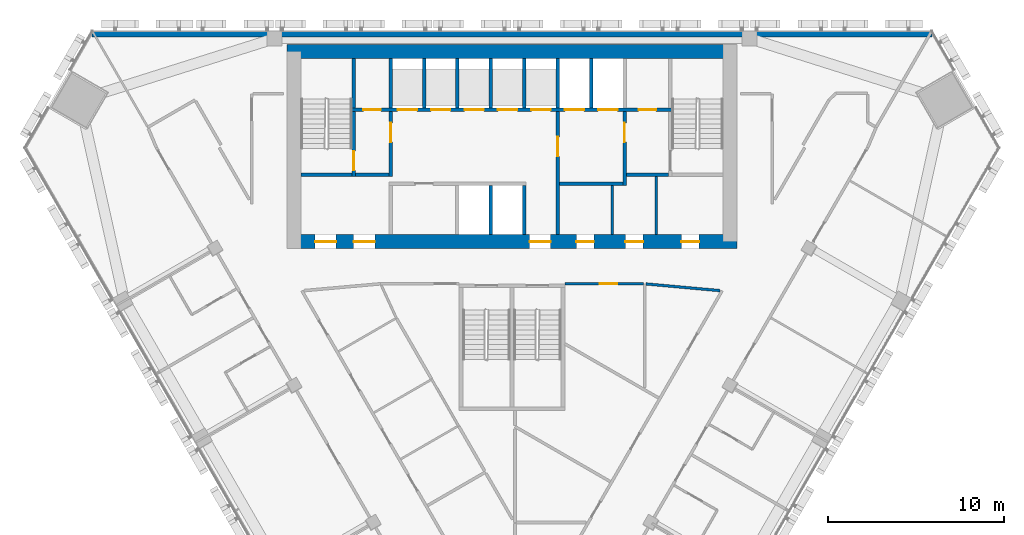
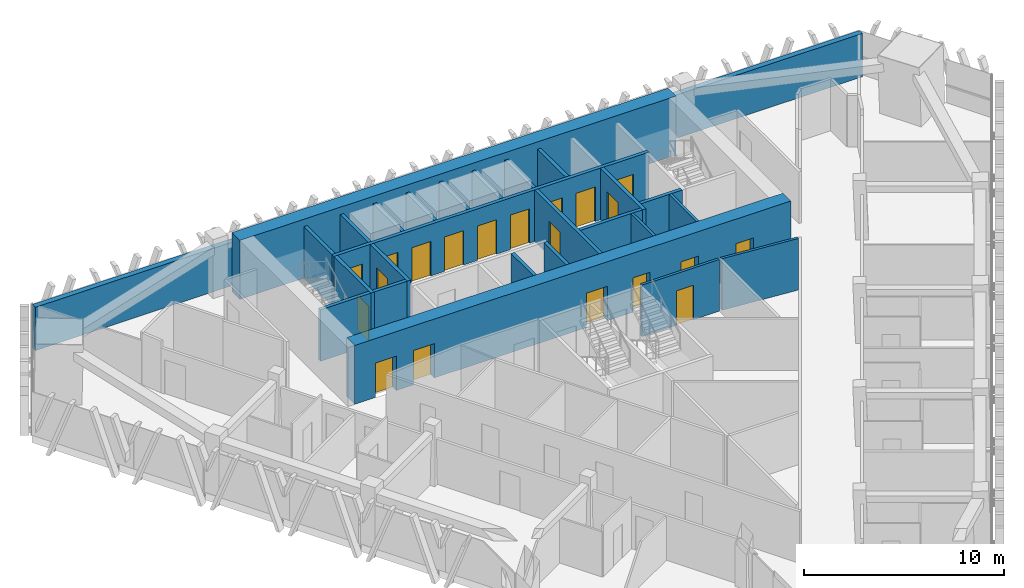
# One storey, part 11 of 16: 26 walls, 20 doors, 20 openings.
"""IFC4 building model written with IfcOpenShell, lengths in metres."""

import ifcopenshell
import ifcopenshell.guid

model = None  # the IFC model being written
_history = None  # IfcOwnerHistory: only IFC2X3 demands one
_inside = {}  # id of a spatial element -> (the spatial element, [elements in it])
_under = {}  # id of a project, library or spatial element -> (it, [spatial elements below it])
_declared = {}  # id of a project -> (the project, [libraries it declares])
_typed = {}  # id of a type object -> (the type object, [elements of that type])
_made_of = {}  # id of a material, layer set ... -> (it, [elements and type objects made of it])


def new_model(schema):
    """Start an empty IFC model of exactly this schema.

    Asked for "IFC4X3", IfcOpenShell would pick the latest addendum, in which some entities
    have other attributes; the version numbers below select the first issue.
    IFC2X3 requires an IfcOwnerHistory on every rooted entity: one is made here for all.
    """
    global model, _history
    if schema == "IFC4X3":
        model = ifcopenshell.file(schema_version=(4, 3, 0, 0))
    else:
        model = ifcopenshell.file(schema=schema)
    _inside.clear()
    _under.clear()
    _declared.clear()
    _typed.clear()
    _made_of.clear()
    _history = None
    if model.schema == "IFC2X3":
        org = make("IfcOrganization", Name="unknown")
        user = make(
            "IfcPersonAndOrganization",
            ThePerson=make("IfcPerson", FamilyName="unknown"),
            TheOrganization=org,
        )
        app = make(
            "IfcApplication",
            ApplicationDeveloper=org,
            Version="unknown",
            ApplicationFullName="unknown",
            ApplicationIdentifier="unknown",
        )
        _history = make(
            "IfcOwnerHistory",
            OwningUser=user,
            OwningApplication=app,
            ChangeAction="ADDED",
            CreationDate=0,
        )
    return model


def make(cls, **values):
    """One entity of the class cls with the attributes given. An attribute that is None is left unset."""
    return model.create_entity(
        cls, **{name: value for name, value in values.items() if value is not None}
    )


def rooted(cls, **values):
    """An entity with a GlobalId (a new one), such as an element, a storey or a relation."""
    return make(cls, GlobalId=ifcopenshell.guid.new(), OwnerHistory=_history, **values)


def si_unit(unit_type, name, prefix=None):
    """IfcSIUnit, for example si_unit("LENGTHUNIT", "METRE", prefix="MILLI")."""
    return make("IfcSIUnit", UnitType=unit_type, Prefix=prefix, Name=name)


def assignment(units):
    """IfcUnitAssignment: the units of a project."""
    return None if units is None else make("IfcUnitAssignment", Units=units)


def point(xyz):
    """IfcCartesianPoint."""
    return None if xyz is None else make("IfcCartesianPoint", Coordinates=xyz)


def direction(xyz):
    """IfcDirection."""
    return None if xyz is None else make("IfcDirection", DirectionRatios=xyz)


def frame(location, z_axis=None, x_axis=None):
    """IfcAxis2Placement3D, a coordinate frame: its origin and axes. An axis left out is left unset."""
    return make(
        "IfcAxis2Placement3D",
        Location=point(location),
        Axis=direction(z_axis),
        RefDirection=direction(x_axis),
    )


def frame_2d(location, x_axis=None):
    """IfcAxis2Placement2D, a coordinate frame in the plane: its origin and x axis."""
    return make(
        "IfcAxis2Placement2D", Location=point(location), RefDirection=direction(x_axis)
    )


def origin():
    """The frame at (0, 0, 0) with its axes left unset."""
    return frame((0.0, 0.0, 0.0))


def place(relative_to, where):
    """IfcLocalPlacement: puts the frame where relative to a parent placement (None: the world)."""
    return make(
        "IfcLocalPlacement", PlacementRelTo=relative_to, RelativePlacement=where
    )


def context(
    kind, dimensions, precision=None, world=None, true_north=None, identifier=None
):
    """IfcGeometricRepresentationContext, for example the 3D "Model" context."""
    return make(
        "IfcGeometricRepresentationContext",
        ContextIdentifier=identifier,
        ContextType=kind,
        CoordinateSpaceDimension=dimensions,
        Precision=precision,
        WorldCoordinateSystem=world,
        TrueNorth=true_north,
    )


def subcontext(parent, identifier, kind, view, scale=None):
    """IfcGeometricRepresentationSubContext, for example "Body" below "Model"."""
    return make(
        "IfcGeometricRepresentationSubContext",
        ContextIdentifier=identifier,
        ContextType=kind,
        ParentContext=parent,
        TargetScale=scale,
        TargetView=view,
    )


def project(units=None, contexts=None):
    """IfcProject with its units and contexts."""
    return rooted(
        "IfcProject",
        Name="project",
        RepresentationContexts=contexts,
        UnitsInContext=assignment(units),
    )


def spatial(cls, under=None, at=None, **own):
    """A site, building, storey or space (cls), placed at a placement, below another one or the project."""
    s = rooted(cls, ObjectPlacement=at, **own)
    if under is not None:
        _under.setdefault(under.id(), (under, []))[1].append(s)
    return s


def profile(cls, at=None, kind="AREA", **sizes):
    """A parametric profile (cls). Its sizes go by their IFC names, for example OverallWidth=200.0."""
    return make(cls, ProfileType=kind, Position=at, **sizes)


def rectangle(**sizes):
    """IfcRectangleProfileDef."""
    return profile("IfcRectangleProfileDef", **sizes)


def extrude(swept, where, along, depth):
    """IfcExtrudedAreaSolid: the profile swept, set in the frame where, extruded along a direction by depth."""
    return make(
        "IfcExtrudedAreaSolid",
        SweptArea=swept,
        Position=where,
        ExtrudedDirection=direction(along),
        Depth=depth,
    )


def shape(context_of_items, identifier, shape_type, items):
    """IfcShapeRepresentation: the items that make up one representation, for example the "Body"."""
    return make(
        "IfcShapeRepresentation",
        ContextOfItems=context_of_items,
        RepresentationIdentifier=identifier,
        RepresentationType=shape_type,
        Items=items,
    )


def material(Name=None, Category=None):
    """IfcMaterial."""
    return make("IfcMaterial", Name=Name, Category=Category)


def layer(
    of_material, thickness, ventilated=None, Name=None, Category=None, Priority=None
):
    """IfcMaterialLayer: one layer of a wall or slab, of a material (None: an air gap)."""
    return make(
        "IfcMaterialLayer",
        Material=of_material,
        LayerThickness=thickness,
        IsVentilated=ventilated,
        Name=Name,
        Category=Category,
        Priority=Priority,
    )


def layer_set(layers, Name=None):
    """IfcMaterialLayerSet."""
    return make("IfcMaterialLayerSet", MaterialLayers=layers, LayerSetName=Name)


def made_of(thing, what):
    """Note that an element or type object is made of a material, layer set ...; save() writes the relation."""
    if what is not None:
        _made_of.setdefault(what.id(), (what, []))[1].append(thing)
    return thing


def type_object(cls, material=None, **own):
    """A type object (cls), such as IfcWallType, which elements share."""
    return made_of(rooted(cls, **own), material)


def element(
    cls,
    number,
    at=None,
    inside=None,
    cuts=None,
    type_object=None,
    material=None,
    context=None,
    identifier="Body",
    shape_type=None,
    held_by="IfcProductDefinitionShape",
    body=None,
    shapes=None,
    **own,
):
    """One element of the class cls, such as IfcWall. Its Tag is "e" and its number.

    at: its placement. inside: the storey or other place that contains it. cuts: it is an
    opening in that element (IfcRelVoidsElement). A single representation is given by context,
    identifier, shape_type and body (its items); several are given by shapes. held_by: the class
    of the entity that holds the representations. save() writes the other relations.
    """
    e = rooted(cls, Tag="e%d" % number, ObjectPlacement=at, **own)
    if body is not None:
        shapes = [shape(context, identifier, shape_type, body)]
    if shapes is not None:
        e.Representation = make(held_by, Representations=shapes)
    if inside is not None:
        _inside.setdefault(inside.id(), (inside, []))[1].append(e)
    if cuts is not None:
        rooted(
            "IfcRelVoidsElement", RelatingBuildingElement=cuts, RelatedOpeningElement=e
        )
    if type_object is not None:
        _typed.setdefault(type_object.id(), (type_object, []))[1].append(e)
    return made_of(e, material)


def fill(opening, filler):
    """IfcRelFillsElement: the door or window that sits in an opening."""
    return rooted(
        "IfcRelFillsElement",
        RelatingOpeningElement=opening,
        RelatedBuildingElement=filler,
    )


def aggregate(whole, parts):
    """IfcRelAggregates: a whole, such as a stair, and the parts it consists of."""
    return rooted("IfcRelAggregates", RelatingObject=whole, RelatedObjects=parts)


def save(model, path):
    """Write the relations noted so far, then the file.

    IfcRelAggregates (storeys below a building ...), IfcRelContainedInSpatialStructure (elements
    in a storey), IfcRelDefinesByType, IfcRelAssociatesMaterial and IfcRelDeclares: one each for
    every whole, place, type object, material and project.
    """
    for whole, parts in _under.values():
        aggregate(whole, parts)
    for where, things in _inside.values():
        rooted(
            "IfcRelContainedInSpatialStructure",
            RelatedElements=things,
            RelatingStructure=where,
        )
    for kind, things in _typed.values():
        rooted("IfcRelDefinesByType", RelatedObjects=things, RelatingType=kind)
    for what, things in _made_of.values():
        rooted("IfcRelAssociatesMaterial", RelatedObjects=things, RelatingMaterial=what)
    for by, libraries in _declared.values():
        rooted("IfcRelDeclares", RelatingContext=by, RelatedDefinitions=libraries)
    model.write(path)


model = new_model("IFC4")

# Units and contexts
model_context = context("Model", 3, precision=1e-05, world=origin(), true_north=direction((0.0, 1.0)))
body_context = subcontext(model_context, "Body", "Model", "MODEL_VIEW")
ifc_project = project(units=[si_unit("LENGTHUNIT", "METRE"), si_unit("AREAUNIT", "SQUARE_METRE"), si_unit("VOLUMEUNIT", "CUBIC_METRE"), si_unit("PLANEANGLEUNIT", "RADIAN"), si_unit("MASSUNIT", "GRAM", prefix="KILO")], contexts=[model_context])

# Site, building, storey
site_placement = place(None, origin())
site = spatial("IfcSite", under=ifc_project, at=site_placement, CompositionType="ELEMENT")
building_placement = place(site_placement, origin())
building = spatial("IfcBuilding", under=site, at=building_placement, Name="Altiplano Prism Tower", CompositionType="ELEMENT")
storey_placement = place(building_placement, frame((0.0, 0.0, 135.0)))
storey = spatial("IfcBuildingStorey", under=building, at=storey_placement, Name="L34", CompositionType="ELEMENT", Elevation=135.0)

# Wall, openings, doors
ifc_material_1 = material(Name="Concrete C60/75", Category="concrete")
ifc_layer_1 = layer(ifc_material_1, 0.800048828125)
ifc_layer_set_1 = layer_set([ifc_layer_1], Name="Concrete C60/75")
wall_type_1 = type_object("IfcWallType", Name="Core wall 800", PredefinedType="SHEAR", material=ifc_layer_set_1)
wall_1_placement = place(storey_placement, frame((72.60009765625, 93.0, 0.0), z_axis=(0.0, 0.0, 1.0), x_axis=(1.0, 0.0, 0.0)))
wall_1 = element("IfcWall", 1, at=wall_1_placement, inside=storey, type_object=wall_type_1, Name="Core wall S L34", PredefinedType="SHEAR", context=body_context, shape_type="SweptSolid", body=[
    extrude(rectangle(XDim=25.199951171875, YDim=0.800048828125, at=frame_2d((12.60009765625, 0.0))), origin(), (0.0, 0.0, 1.0), 3.60009765625),
])
opening_1_placement = place(wall_1_placement, frame((1.199951171875, 0.0, 0.0)))
opening_1 = element("IfcOpeningElement", 2, at=opening_1_placement, cuts=wall_1, Name="Opening D3044", PredefinedType="OPENING", context=body_context, shape_type="SweptSolid", body=[
    extrude(rectangle(XDim=1.199951171875, YDim=2.10009765625, at=frame_2d((0.60009765625, 1.050048828125))), frame((0.0, 0.41064453125, 0.0), z_axis=(0.0, -1.0, 0.0), x_axis=(1.0, 0.0, 0.0)), (0.0, 0.0, 1.0), 0.821044921875),
])
opening_2_placement = place(wall_1_placement, frame((3.39990234375, 0.0, 0.0)))
opening_2 = element("IfcOpeningElement", 3, at=opening_2_placement, cuts=wall_1, Name="Opening D3045", PredefinedType="OPENING", context=body_context, shape_type="SweptSolid", body=[
    extrude(rectangle(XDim=1.199951171875, YDim=2.10009765625, at=frame_2d((0.60009765625, 1.050048828125))), frame((0.0, 0.41064453125, 0.0), z_axis=(0.0, -1.0, 0.0), x_axis=(1.0, 0.0, 0.0)), (0.0, 0.0, 1.0), 0.821044921875),
])
opening_3_placement = place(wall_1_placement, frame((13.39990234375, 0.0, 0.0)))
opening_3 = element("IfcOpeningElement", 4, at=opening_3_placement, cuts=wall_1, Name="Opening D3046", PredefinedType="OPENING", context=body_context, shape_type="SweptSolid", body=[
    extrude(rectangle(XDim=1.199951171875, YDim=2.10009765625, at=frame_2d((0.60009765625, 1.050048828125))), frame((0.0, 0.41064453125, 0.0), z_axis=(0.0, -1.0, 0.0), x_axis=(1.0, 0.0, 0.0)), (0.0, 0.0, 1.0), 0.821044921875),
])
opening_4_placement = place(wall_1_placement, frame((16.0625, 0.0, 0.0)))
opening_4 = element("IfcOpeningElement", 5, at=opening_4_placement, cuts=wall_1, Name="Opening D3049", PredefinedType="OPENING", context=body_context, shape_type="SweptSolid", body=[
    extrude(rectangle(XDim=1.0, YDim=2.10009765625, at=frame_2d((0.5, 1.050048828125))), frame((0.0, 0.41064453125, 0.0), z_axis=(0.0, -1.0, 0.0), x_axis=(1.0, 0.0, 0.0)), (0.0, 0.0, 1.0), 0.821044921875),
])
opening_5_placement = place(wall_1_placement, frame((18.85009765625, 0.0, 0.0)))
opening_5 = element("IfcOpeningElement", 6, at=opening_5_placement, cuts=wall_1, Name="Opening D3050", PredefinedType="OPENING", context=body_context, shape_type="SweptSolid", body=[
    extrude(rectangle(XDim=1.0, YDim=2.10009765625, at=frame_2d((0.5, 1.050048828125))), frame((0.0, 0.41064453125, 0.0), z_axis=(0.0, -1.0, 0.0), x_axis=(1.0, 0.0, 0.0)), (0.0, 0.0, 1.0), 0.821044921875),
])
opening_6_placement = place(wall_1_placement, frame((22.03759765625, 0.0, 0.0)))
opening_6 = element("IfcOpeningElement", 7, at=opening_6_placement, cuts=wall_1, Name="Opening D3051", PredefinedType="OPENING", context=body_context, shape_type="SweptSolid", body=[
    extrude(rectangle(XDim=1.0, YDim=2.10009765625, at=frame_2d((0.5, 1.050048828125))), frame((0.0, 0.41064453125, 0.0), z_axis=(0.0, -1.0, 0.0), x_axis=(1.0, 0.0, 0.0)), (0.0, 0.0, 1.0), 0.821044921875),
])
ifc_material_2 = material(Name="Fire-rated steel door", Category="steel")
door_type_1 = type_object("IfcDoorType", Name="Core room door 1000 x 2100", OperationType="NOTDEFINED", PredefinedType="NOTDEFINED", material=ifc_material_2)
door_1_placement = place(opening_4_placement, origin())
door_1 = element("IfcDoor", 8, at=door_1_placement, inside=storey, type_object=door_type_1, Name="Core room door D3049", OperationType="SINGLE_SWING_RIGHT", OverallHeight=2.10009765625, OverallWidth=1.0, PredefinedType="NOTDEFINED", context=body_context, shape_type="SweptSolid", body=[
    extrude(rectangle(XDim=1.0, YDim=2.10009765625, at=frame_2d((0.5, 1.050048828125))), frame((0.0, 0.02490234375, 0.0), z_axis=(0.0, -1.0, 0.0), x_axis=(1.0, 0.0, 0.0)), (0.0, 0.0, 1.0), 0.050048828125),
])
fill(opening_4, door_1)
door_2_placement = place(opening_5_placement, origin())
door_2 = element("IfcDoor", 9, at=door_2_placement, inside=storey, type_object=door_type_1, Name="Core room door D3050", OperationType="SINGLE_SWING_LEFT", OverallHeight=2.10009765625, OverallWidth=1.0, PredefinedType="NOTDEFINED", context=body_context, shape_type="SweptSolid", body=[
    extrude(rectangle(XDim=1.0, YDim=2.10009765625, at=frame_2d((0.5, 1.050048828125))), frame((0.0, 0.02490234375, 0.0), z_axis=(0.0, -1.0, 0.0), x_axis=(1.0, 0.0, 0.0)), (0.0, 0.0, 1.0), 0.050048828125),
])
fill(opening_5, door_2)
door_3_placement = place(opening_6_placement, origin())
door_3 = element("IfcDoor", 10, at=door_3_placement, inside=storey, type_object=door_type_1, Name="Core room door D3051", OperationType="SINGLE_SWING_RIGHT", OverallHeight=2.10009765625, OverallWidth=1.0, PredefinedType="NOTDEFINED", context=body_context, shape_type="SweptSolid", body=[
    extrude(rectangle(XDim=1.0, YDim=2.10009765625, at=frame_2d((0.5, 1.050048828125))), frame((0.0, 0.02490234375, 0.0), z_axis=(0.0, -1.0, 0.0), x_axis=(1.0, 0.0, 0.0)), (0.0, 0.0, 1.0), 0.050048828125),
])
fill(opening_6, door_3)
door_type_2 = type_object("IfcDoorType", Name="Lobby fire door 1200 x 2100", OperationType="NOTDEFINED", PredefinedType="NOTDEFINED", material=ifc_material_2)
door_4_placement = place(opening_1_placement, origin())
door_4 = element("IfcDoor", 11, at=door_4_placement, inside=storey, type_object=door_type_2, Name="Lobby fire door D3044", OperationType="SINGLE_SWING_RIGHT", OverallHeight=2.10009765625, OverallWidth=1.199951171875, PredefinedType="NOTDEFINED", context=body_context, shape_type="SweptSolid", body=[
    extrude(rectangle(XDim=1.199951171875, YDim=2.10009765625, at=frame_2d((0.60009765625, 1.050048828125))), frame((0.0, 0.02490234375, 0.0), z_axis=(0.0, -1.0, 0.0), x_axis=(1.0, 0.0, 0.0)), (0.0, 0.0, 1.0), 0.050048828125),
])
fill(opening_1, door_4)
door_5_placement = place(opening_2_placement, origin())
door_5 = element("IfcDoor", 12, at=door_5_placement, inside=storey, type_object=door_type_2, Name="Lobby fire door D3045", OperationType="SINGLE_SWING_LEFT", OverallHeight=2.10009765625, OverallWidth=1.199951171875, PredefinedType="NOTDEFINED", context=body_context, shape_type="SweptSolid", body=[
    extrude(rectangle(XDim=1.199951171875, YDim=2.10009765625, at=frame_2d((0.60009765625, 1.050048828125))), frame((0.0, 0.02490234375, 0.0), z_axis=(0.0, -1.0, 0.0), x_axis=(1.0, 0.0, 0.0)), (0.0, 0.0, 1.0), 0.050048828125),
])
fill(opening_2, door_5)
door_6_placement = place(opening_3_placement, origin())
door_6 = element("IfcDoor", 13, at=door_6_placement, inside=storey, type_object=door_type_2, Name="Lobby fire door D3046", OperationType="SINGLE_SWING_RIGHT", OverallHeight=2.10009765625, OverallWidth=1.199951171875, PredefinedType="NOTDEFINED", context=body_context, shape_type="SweptSolid", body=[
    extrude(rectangle(XDim=1.199951171875, YDim=2.10009765625, at=frame_2d((0.60009765625, 1.050048828125))), frame((0.0, 0.02490234375, 0.0), z_axis=(0.0, -1.0, 0.0), x_axis=(1.0, 0.0, 0.0)), (0.0, 0.0, 1.0), 0.050048828125),
])
fill(opening_3, door_6)

# Wall
wall_2_placement = place(storey_placement, frame((97.39990234375, 103.800048828125, 0.0), z_axis=(0.0, 0.0, 1.0), x_axis=(-1.0, 0.0, 0.0)))
element("IfcWall", 14, at=wall_2_placement, inside=storey, type_object=wall_type_1, Name="Core wall N L34", PredefinedType="SHEAR", context=body_context, shape_type="SweptSolid", body=[
    extrude(rectangle(XDim=25.199951171875, YDim=0.800048828125, at=frame_2d((12.60009765625, 0.0))), origin(), (0.0, 0.0, 1.0), 3.60009765625),
])

# Wall, opening, door
ifc_material_3 = material(Name="Plasterboard on steel stud", Category="steel")
ifc_layer_2 = layer(ifc_material_3, 0.14990234375)
ifc_layer_set_2 = layer_set([ifc_layer_2], Name="Plasterboard on steel stud")
wall_type_2 = type_object("IfcWallType", Name="Partition 150 corridor", PredefinedType="PARTITIONING", material=ifc_layer_set_2)
wall_3_placement = place(storey_placement, frame((88.0, 90.60009765625, 0.0), z_axis=(0.0, 0.0, 1.0), x_axis=(0.99999997607, -0.000218770505, 0.0)))
wall_3 = element("IfcWall", 15, at=wall_3_placement, inside=storey, type_object=wall_type_2, Name="Partition P06 L34 021", PredefinedType="PARTITIONING", context=body_context, shape_type="SweptSolid", body=[
    extrude(rectangle(XDim=4.4638671875, YDim=0.14990234375, at=frame_2d((2.23193359375, 0.0))), origin(), (0.0, 0.0, 1.0), 3.14990234375),
])
opening_7_placement = place(wall_3_placement, frame((1.97998046875, 0.0, 0.0)))
opening_7 = element("IfcOpeningElement", 16, at=opening_7_placement, cuts=wall_3, Name="Opening D1256", PredefinedType="OPENING", context=body_context, shape_type="SweptSolid", body=[
    extrude(rectangle(XDim=1.0, YDim=2.10009765625, at=frame_2d((0.5, 1.050048828125))), frame((0.0, 0.08544921875, 0.0), z_axis=(0.0, -1.0, 0.0), x_axis=(1.0, 0.0, 0.0)), (0.0, 0.0, 1.0), 0.1708984375),
])
ifc_material_4 = material(Name="Timber", Category="wood")
door_type_3 = type_object("IfcDoorType", Name="Store door 1000 x 2100", OperationType="NOTDEFINED", PredefinedType="NOTDEFINED", material=ifc_material_4)
door_7_placement = place(opening_7_placement, origin())
door_7 = element("IfcDoor", 17, at=door_7_placement, inside=storey, type_object=door_type_3, Name="Door D1256", OperationType="SINGLE_SWING_RIGHT", OverallHeight=2.10009765625, OverallWidth=1.0, PredefinedType="NOTDEFINED", context=body_context, shape_type="SweptSolid", body=[
    extrude(rectangle(XDim=1.0, YDim=2.10009765625, at=frame_2d((0.5, 1.050048828125))), frame((0.0, 0.02490234375, 0.0), z_axis=(0.0, -1.0, 0.0), x_axis=(1.0, 0.0, 0.0)), (0.0, 0.0, 1.0), 0.050048828125),
])
fill(opening_7, door_7)

# Walls
wall_4_placement = place(storey_placement, frame((92.62060546875, 90.591552734375, 0.0), z_axis=(0.0, 0.0, 1.0), x_axis=(0.995925834643, -0.09017611597, 0.0)))
element("IfcWall", 18, at=wall_4_placement, inside=storey, type_object=wall_type_2, Name="Partition P06 L34 022", PredefinedType="PARTITIONING", context=body_context, shape_type="SweptSolid", body=[
    extrude(rectangle(XDim=4.223388671875, YDim=0.14990234375, at=frame_2d((2.11181640625, 0.0))), origin(), (0.0, 0.0, 1.0), 3.14990234375),
])
ifc_material_5 = material(Name="Fire-rated gypsum board partition")
ifc_layer_3 = layer(ifc_material_5, 0.14990234375)
ifc_layer_set_3 = layer_set([ifc_layer_3], Name="Fire-rated gypsum board partition")
wall_type_3 = type_object("IfcWallType", Name="Room partition 150", PredefinedType="PARTITIONING", material=ifc_layer_set_3)
wall_5_placement = place(storey_placement, frame((90.699951171875, 93.39990234375, 0.0), z_axis=(0.0, 0.0, 1.0), x_axis=(0.0, 1.0, 0.0)))
element("IfcWall", 19, at=wall_5_placement, inside=storey, type_object=wall_type_3, Name="Room partition L34", PredefinedType="PARTITIONING", context=body_context, shape_type="SweptSolid", body=[
    extrude(rectangle(XDim=2.800048828125, YDim=0.14990234375, at=frame_2d((1.39990234375, 0.0))), origin(), (0.0, 0.0, 1.0), 3.14990234375),
])
wall_6_placement = place(storey_placement, frame((93.199951171875, 93.39990234375, 0.0), z_axis=(0.0, 0.0, 1.0), x_axis=(0.0, 1.0, 0.0)))
element("IfcWall", 20, at=wall_6_placement, inside=storey, type_object=wall_type_3, Name="Room partition L34", PredefinedType="PARTITIONING", context=body_context, shape_type="SweptSolid", body=[
    extrude(rectangle(XDim=3.300048828125, YDim=0.14990234375, at=frame_2d((1.64990234375, 0.0))), origin(), (0.0, 0.0, 1.0), 3.14990234375),
])
ifc_layer_4 = layer(ifc_material_1, 0.199951171875)
ifc_layer_set_4 = layer_set([ifc_layer_4], Name="Concrete C60/75")
wall_type_4 = type_object("IfcWallType", Name="Shaft wall 200", PredefinedType="SOLIDWALL", material=ifc_layer_set_4)
for number, where, z_axis, x_axis, name in (
    (21, (83.800048828125, 93.39990234375, 0.0), (0.0, 0.0, 1.0), (0.0, 1.0, 0.0), "Shaft wall L34"),
    (22, (85.699951171875, 93.39990234375, 0.0), (0.0, 0.0, 1.0), (0.0, 1.0, 0.0), "Shaft wall L34"),
):
    element("IfcWall", number, at=place(storey_placement, frame(where, z_axis=z_axis, x_axis=x_axis)), inside=storey, type_object=wall_type_4, Name=name, PredefinedType="SOLIDWALL", context=body_context, shape_type="SweptSolid", body=[
        extrude(rectangle(XDim=2.800048828125, YDim=0.199951171875, at=frame_2d((1.39990234375, 0.0))), origin(), (0.0, 0.0, 1.0), 3.14990234375),
    ])
for number, where, z_axis, x_axis, name in (
    (23, (78.10009765625, 100.60009765625, 0.0), (0.0, 0.0, 1.0), (0.0, 1.0, 0.0), "Shaft wall L34"),
    (24, (80.0, 100.60009765625, 0.0), (0.0, 0.0, 1.0), (0.0, 1.0, 0.0), "Shaft wall L34"),
    (25, (81.89990234375, 100.60009765625, 0.0), (0.0, 0.0, 1.0), (0.0, 1.0, 0.0), "Shaft wall L34"),
    (26, (83.800048828125, 100.60009765625, 0.0), (0.0, 0.0, 1.0), (0.0, 1.0, 0.0), "Shaft wall L34"),
    (27, (85.699951171875, 100.60009765625, 0.0), (0.0, 0.0, 1.0), (0.0, 1.0, 0.0), "Shaft wall L34"),
    (28, (87.60009765625, 100.60009765625, 0.0), (0.0, 0.0, 1.0), (0.0, 1.0, 0.0), "Shaft wall L34"),
    (29, (89.5, 100.60009765625, 0.0), (0.0, 0.0, 1.0), (0.0, 1.0, 0.0), "Shaft wall L34"),
):
    element("IfcWall", number, at=place(storey_placement, frame(where, z_axis=z_axis, x_axis=x_axis)), inside=storey, type_object=wall_type_4, Name=name, PredefinedType="SOLIDWALL", context=body_context, shape_type="SweptSolid", body=[
        extrude(rectangle(XDim=2.7998046875, YDim=0.199951171875, at=frame_2d((1.39990234375, 0.0))), origin(), (0.0, 0.0, 1.0), 3.14990234375),
    ])
ifc_layer_5 = layer(ifc_material_1, 0.199951171875)
ifc_layer_set_5 = layer_set([ifc_layer_5], Name="Concrete C60/75")
wall_type_5 = type_object("IfcWallType", Name="Stair wall 200", PredefinedType="SOLIDWALL", material=ifc_layer_set_5)
wall_7_placement = place(storey_placement, frame((73.0, 96.800048828125, 0.0), z_axis=(0.0, 0.0, 1.0), x_axis=(1.0, 0.0, 0.0)))
element("IfcWall", 30, at=wall_7_placement, inside=storey, type_object=wall_type_5, Name="Stair wall L34", PredefinedType="SOLIDWALL", context=body_context, shape_type="SweptSolid", body=[
    extrude(rectangle(XDim=2.89990234375, YDim=0.199951171875, at=frame_2d((1.449951171875, 0.0))), origin(), (0.0, 0.0, 1.0), 3.14990234375),
])

# Wall, opening, door
wall_8_placement = place(storey_placement, frame((76.0, 96.699951171875, 0.0), z_axis=(0.0, 0.0, 1.0), x_axis=(0.0, 1.0, 0.0)))
wall_8 = element("IfcWall", 31, at=wall_8_placement, inside=storey, type_object=wall_type_5, Name="Stair wall L34", PredefinedType="SOLIDWALL", context=body_context, shape_type="SweptSolid", body=[
    extrude(rectangle(XDim=3.699951171875, YDim=0.199951171875, at=frame_2d((1.85009765625, 0.0))), origin(), (0.0, 0.0, 1.0), 3.14990234375),
])
opening_8_placement = place(wall_8_placement, frame((0.35009765625, 0.0, 0.0)))
opening_8 = element("IfcOpeningElement", 32, at=opening_8_placement, cuts=wall_8, Name="Opening D3039", PredefinedType="OPENING", context=body_context, shape_type="SweptSolid", body=[
    extrude(rectangle(XDim=1.10009765625, YDim=2.10009765625, at=frame_2d((0.550048828125, 1.050048828125))), frame((0.0, 0.1103515625, 0.0), z_axis=(0.0, -1.0, 0.0), x_axis=(1.0, 0.0, 0.0)), (0.0, 0.0, 1.0), 0.220947265625),
])
door_type_4 = type_object("IfcDoorType", Name="Stair fire door 1100 x 2100", OperationType="NOTDEFINED", PredefinedType="NOTDEFINED", material=ifc_material_2)
door_8_placement = place(opening_8_placement, origin())
door_8 = element("IfcDoor", 33, at=door_8_placement, inside=storey, type_object=door_type_4, Name="Stair fire door D3039", OperationType="SINGLE_SWING_RIGHT", OverallHeight=2.10009765625, OverallWidth=1.10009765625, PredefinedType="NOTDEFINED", context=body_context, shape_type="SweptSolid", body=[
    extrude(rectangle(XDim=1.10009765625, YDim=2.10009765625, at=frame_2d((0.550048828125, 1.050048828125))), frame((0.0, 0.02490234375, 0.0), z_axis=(0.0, -1.0, 0.0), x_axis=(1.0, 0.0, 0.0)), (0.0, 0.0, 1.0), 0.050048828125),
])
fill(opening_8, door_8)

# Wall, openings, doors
wall_9_placement = place(storey_placement, frame((75.89990234375, 100.5, 0.0), z_axis=(0.0, 0.0, 1.0), x_axis=(1.0, 0.0, 0.0)))
wall_9 = element("IfcWall", 34, at=wall_9_placement, inside=storey, type_object=wall_type_5, Name="Stair wall L34", PredefinedType="SOLIDWALL", context=body_context, shape_type="SweptSolid", body=[
    extrude(rectangle(XDim=18.2001953125, YDim=0.199951171875, at=frame_2d((9.10009765625, 0.0))), origin(), (0.0, 0.0, 1.0), 3.14990234375),
])
opening_9_placement = place(wall_9_placement, frame((2.60009765625, 0.0, 0.0)))
opening_9 = element("IfcOpeningElement", 35, at=opening_9_placement, cuts=wall_9, Name="Opening LD-ML1-L34", PredefinedType="OPENING", context=body_context, shape_type="SweptSolid", body=[
    extrude(rectangle(XDim=1.10009765625, YDim=2.10009765625, at=frame_2d((0.550048828125, 1.050048828125))), frame((0.0, 0.1103515625, 0.0), z_axis=(0.0, -1.0, 0.0), x_axis=(1.0, 0.0, 0.0)), (0.0, 0.0, 1.0), 0.220947265625),
])
opening_10_placement = place(wall_9_placement, frame((4.5, 0.0, 0.0)))
opening_10 = element("IfcOpeningElement", 36, at=opening_10_placement, cuts=wall_9, Name="Opening LD-ML2-L34", PredefinedType="OPENING", context=body_context, shape_type="SweptSolid", body=[
    extrude(rectangle(XDim=1.10009765625, YDim=2.10009765625, at=frame_2d((0.550048828125, 1.050048828125))), frame((0.0, 0.1103515625, 0.0), z_axis=(0.0, -1.0, 0.0), x_axis=(1.0, 0.0, 0.0)), (0.0, 0.0, 1.0), 0.220947265625),
])
opening_11_placement = place(wall_9_placement, frame((6.39990234375, 0.0, 0.0)))
opening_11 = element("IfcOpeningElement", 37, at=opening_11_placement, cuts=wall_9, Name="Opening LD-ML3-L34", PredefinedType="OPENING", context=body_context, shape_type="SweptSolid", body=[
    extrude(rectangle(XDim=1.10009765625, YDim=2.10009765625, at=frame_2d((0.550048828125, 1.050048828125))), frame((0.0, 0.1103515625, 0.0), z_axis=(0.0, -1.0, 0.0), x_axis=(1.0, 0.0, 0.0)), (0.0, 0.0, 1.0), 0.220947265625),
])
opening_12_placement = place(wall_9_placement, frame((8.300048828125, 0.0, 0.0)))
opening_12 = element("IfcOpeningElement", 38, at=opening_12_placement, cuts=wall_9, Name="Opening LD-ML4-L34", PredefinedType="OPENING", context=body_context, shape_type="SweptSolid", body=[
    extrude(rectangle(XDim=1.10009765625, YDim=2.10009765625, at=frame_2d((0.550048828125, 1.050048828125))), frame((0.0, 0.1103515625, 0.0), z_axis=(0.0, -1.0, 0.0), x_axis=(1.0, 0.0, 0.0)), (0.0, 0.0, 1.0), 0.220947265625),
])
opening_13_placement = place(wall_9_placement, frame((10.199951171875, 0.0, 0.0)))
opening_13 = element("IfcOpeningElement", 39, at=opening_13_placement, cuts=wall_9, Name="Opening LD-ML5-L34", PredefinedType="OPENING", context=body_context, shape_type="SweptSolid", body=[
    extrude(rectangle(XDim=1.10009765625, YDim=2.10009765625, at=frame_2d((0.550048828125, 1.050048828125))), frame((0.0, 0.1103515625, 0.0), z_axis=(0.0, -1.0, 0.0), x_axis=(1.0, 0.0, 0.0)), (0.0, 0.0, 1.0), 0.220947265625),
])
opening_14_placement = place(wall_9_placement, frame((12.10009765625, 0.0, 0.0)))
opening_14 = element("IfcOpeningElement", 40, at=opening_14_placement, cuts=wall_9, Name="Opening LD-FF1-L34", PredefinedType="OPENING", context=body_context, shape_type="SweptSolid", body=[
    extrude(rectangle(XDim=1.10009765625, YDim=2.10009765625, at=frame_2d((0.550048828125, 1.050048828125))), frame((0.0, 0.1103515625, 0.0), z_axis=(0.0, -1.0, 0.0), x_axis=(1.0, 0.0, 0.0)), (0.0, 0.0, 1.0), 0.220947265625),
])
opening_15_placement = place(wall_9_placement, frame((14.0, 0.0, 0.0)))
opening_15 = element("IfcOpeningElement", 41, at=opening_15_placement, cuts=wall_9, Name="Opening LD-FF2-L34", PredefinedType="OPENING", context=body_context, shape_type="SweptSolid", body=[
    extrude(rectangle(XDim=1.10009765625, YDim=2.10009765625, at=frame_2d((0.550048828125, 1.050048828125))), frame((0.0, 0.1103515625, 0.0), z_axis=(0.0, -1.0, 0.0), x_axis=(1.0, 0.0, 0.0)), (0.0, 0.0, 1.0), 0.220947265625),
])
opening_16_placement = place(wall_9_placement, frame((0.64990234375, 0.0, 0.0)))
opening_16 = element("IfcOpeningElement", 42, at=opening_16_placement, cuts=wall_9, Name="Opening D3047", PredefinedType="OPENING", context=body_context, shape_type="SweptSolid", body=[
    extrude(rectangle(XDim=1.0, YDim=2.10009765625, at=frame_2d((0.5, 1.050048828125))), frame((0.0, 0.1103515625, 0.0), z_axis=(0.0, -1.0, 0.0), x_axis=(1.0, 0.0, 0.0)), (0.0, 0.0, 1.0), 0.220947265625),
])
opening_17_placement = place(wall_9_placement, frame((16.300048828125, 0.0, 0.0)))
opening_17 = element("IfcOpeningElement", 43, at=opening_17_placement, cuts=wall_9, Name="Opening D3048", PredefinedType="OPENING", context=body_context, shape_type="SweptSolid", body=[
    extrude(rectangle(XDim=1.0, YDim=2.10009765625, at=frame_2d((0.5, 1.050048828125))), frame((0.0, 0.1103515625, 0.0), z_axis=(0.0, -1.0, 0.0), x_axis=(1.0, 0.0, 0.0)), (0.0, 0.0, 1.0), 0.220947265625),
])
door_9_placement = place(opening_16_placement, origin())
door_9 = element("IfcDoor", 44, at=door_9_placement, inside=storey, type_object=door_type_1, Name="Core room door D3047", OperationType="SINGLE_SWING_LEFT", OverallHeight=2.10009765625, OverallWidth=1.0, PredefinedType="NOTDEFINED", context=body_context, shape_type="SweptSolid", body=[
    extrude(rectangle(XDim=1.0, YDim=2.10009765625, at=frame_2d((0.5, 1.050048828125))), frame((0.0, 0.02490234375, 0.0), z_axis=(0.0, -1.0, 0.0), x_axis=(1.0, 0.0, 0.0)), (0.0, 0.0, 1.0), 0.050048828125),
])
fill(opening_16, door_9)
door_10_placement = place(opening_17_placement, origin())
door_10 = element("IfcDoor", 45, at=door_10_placement, inside=storey, type_object=door_type_1, Name="Core room door D3048", OperationType="SINGLE_SWING_RIGHT", OverallHeight=2.10009765625, OverallWidth=1.0, PredefinedType="NOTDEFINED", context=body_context, shape_type="SweptSolid", body=[
    extrude(rectangle(XDim=1.0, YDim=2.10009765625, at=frame_2d((0.5, 1.050048828125))), frame((0.0, 0.02490234375, 0.0), z_axis=(0.0, -1.0, 0.0), x_axis=(1.0, 0.0, 0.0)), (0.0, 0.0, 1.0), 0.050048828125),
])
fill(opening_17, door_10)
ifc_material_6 = material(Name="Stainless steel landing door", Category="steel")
door_type_5 = type_object("IfcDoorType", Name="Landing door 1100 x 2100", OperationType="NOTDEFINED", PredefinedType="NOTDEFINED", material=ifc_material_6)
door_11_placement = place(opening_9_placement, origin())
door_11 = element("IfcDoor", 46, at=door_11_placement, inside=storey, type_object=door_type_5, Name="Landing doors ML1", OperationType="SLIDING_TO_RIGHT", OverallHeight=2.10009765625, OverallWidth=1.10009765625, PredefinedType="NOTDEFINED", context=body_context, shape_type="SweptSolid", body=[
    extrude(rectangle(XDim=1.10009765625, YDim=2.10009765625, at=frame_2d((0.550048828125, 1.050048828125))), frame((0.0, 0.02490234375, 0.0), z_axis=(0.0, -1.0, 0.0), x_axis=(1.0, 0.0, 0.0)), (0.0, 0.0, 1.0), 0.050048828125),
])
fill(opening_9, door_11)
door_12_placement = place(opening_10_placement, origin())
door_12 = element("IfcDoor", 47, at=door_12_placement, inside=storey, type_object=door_type_5, Name="Landing doors ML2", OperationType="SLIDING_TO_LEFT", OverallHeight=2.10009765625, OverallWidth=1.10009765625, PredefinedType="NOTDEFINED", context=body_context, shape_type="SweptSolid", body=[
    extrude(rectangle(XDim=1.10009765625, YDim=2.10009765625, at=frame_2d((0.550048828125, 1.050048828125))), frame((0.0, 0.02490234375, 0.0), z_axis=(0.0, -1.0, 0.0), x_axis=(1.0, 0.0, 0.0)), (0.0, 0.0, 1.0), 0.050048828125),
])
fill(opening_10, door_12)
door_13_placement = place(opening_11_placement, origin())
door_13 = element("IfcDoor", 48, at=door_13_placement, inside=storey, type_object=door_type_5, Name="Landing doors ML3", OperationType="SLIDING_TO_RIGHT", OverallHeight=2.10009765625, OverallWidth=1.10009765625, PredefinedType="NOTDEFINED", context=body_context, shape_type="SweptSolid", body=[
    extrude(rectangle(XDim=1.10009765625, YDim=2.10009765625, at=frame_2d((0.550048828125, 1.050048828125))), frame((0.0, 0.02490234375, 0.0), z_axis=(0.0, -1.0, 0.0), x_axis=(1.0, 0.0, 0.0)), (0.0, 0.0, 1.0), 0.050048828125),
])
fill(opening_11, door_13)
door_14_placement = place(opening_12_placement, origin())
door_14 = element("IfcDoor", 49, at=door_14_placement, inside=storey, type_object=door_type_5, Name="Landing doors ML4", OperationType="SLIDING_TO_LEFT", OverallHeight=2.10009765625, OverallWidth=1.10009765625, PredefinedType="NOTDEFINED", context=body_context, shape_type="SweptSolid", body=[
    extrude(rectangle(XDim=1.10009765625, YDim=2.10009765625, at=frame_2d((0.550048828125, 1.050048828125))), frame((0.0, 0.02490234375, 0.0), z_axis=(0.0, -1.0, 0.0), x_axis=(1.0, 0.0, 0.0)), (0.0, 0.0, 1.0), 0.050048828125),
])
fill(opening_12, door_14)
door_15_placement = place(opening_13_placement, origin())
door_15 = element("IfcDoor", 50, at=door_15_placement, inside=storey, type_object=door_type_5, Name="Landing doors ML5", OperationType="SLIDING_TO_RIGHT", OverallHeight=2.10009765625, OverallWidth=1.10009765625, PredefinedType="NOTDEFINED", context=body_context, shape_type="SweptSolid", body=[
    extrude(rectangle(XDim=1.10009765625, YDim=2.10009765625, at=frame_2d((0.550048828125, 1.050048828125))), frame((0.0, 0.02490234375, 0.0), z_axis=(0.0, -1.0, 0.0), x_axis=(1.0, 0.0, 0.0)), (0.0, 0.0, 1.0), 0.050048828125),
])
fill(opening_13, door_15)
door_16_placement = place(opening_14_placement, origin())
door_16 = element("IfcDoor", 51, at=door_16_placement, inside=storey, type_object=door_type_5, Name="Landing doors FF1", OperationType="SLIDING_TO_RIGHT", OverallHeight=2.10009765625, OverallWidth=1.10009765625, PredefinedType="NOTDEFINED", context=body_context, shape_type="SweptSolid", body=[
    extrude(rectangle(XDim=1.10009765625, YDim=2.10009765625, at=frame_2d((0.550048828125, 1.050048828125))), frame((0.0, 0.02490234375, 0.0), z_axis=(0.0, -1.0, 0.0), x_axis=(1.0, 0.0, 0.0)), (0.0, 0.0, 1.0), 0.050048828125),
])
fill(opening_14, door_16)
door_17_placement = place(opening_15_placement, origin())
door_17 = element("IfcDoor", 52, at=door_17_placement, inside=storey, type_object=door_type_5, Name="Landing doors FF2", OperationType="SLIDING_TO_LEFT", OverallHeight=2.10009765625, OverallWidth=1.10009765625, PredefinedType="NOTDEFINED", context=body_context, shape_type="SweptSolid", body=[
    extrude(rectangle(XDim=1.10009765625, YDim=2.10009765625, at=frame_2d((0.550048828125, 1.050048828125))), frame((0.0, 0.02490234375, 0.0), z_axis=(0.0, -1.0, 0.0), x_axis=(1.0, 0.0, 0.0)), (0.0, 0.0, 1.0), 0.050048828125),
])
fill(opening_15, door_17)

# Walls
wall_10_placement = place(storey_placement, frame((76.0, 100.60009765625, 0.0), z_axis=(0.0, 0.0, 1.0), x_axis=(0.0, 1.0, 0.0)))
element("IfcWall", 53, at=wall_10_placement, inside=storey, type_object=wall_type_5, Name="Stair wall L34", PredefinedType="SOLIDWALL", context=body_context, shape_type="SweptSolid", body=[
    extrude(rectangle(XDim=2.7998046875, YDim=0.199951171875, at=frame_2d((1.39990234375, 0.0))), origin(), (0.0, 0.0, 1.0), 3.14990234375),
])
ifc_material_7 = material(Name="Concrete C40", Category="concrete")
ifc_layer_6 = layer(ifc_material_7, 0.300048828125)
ifc_layer_set_6 = layer_set([ifc_layer_6], Name="Concrete C40")
wall_type_6 = type_object("IfcWallType", Name="Stone-clad external wall 300", PredefinedType="SOLIDWALL", material=ifc_layer_set_6)
wall_11_placement = place(storey_placement, frame((61.1171875, 104.7900390625, 0.0), z_axis=(0.0, 0.0, 1.0), x_axis=(1.0, 0.0, 0.0)))
element("IfcWall", 54, at=wall_11_placement, inside=storey, type_object=wall_type_6, Name="External wall north face L34", PredefinedType="SOLIDWALL", context=body_context, shape_type="SweptSolid", body=[
    extrude(rectangle(XDim=47.765625, YDim=0.300048828125, at=frame_2d((23.8828125, 0.0))), origin(), (0.0, 0.0, 1.0), 2.64990234375),
])

# Wall, opening, door
ifc_layer_7 = layer(ifc_material_1, 0.199951171875)
ifc_layer_set_7 = layer_set([ifc_layer_7], Name="Concrete C60/75")
wall_type_7 = type_object("IfcWallType", Name="Vestibule wall 200", PredefinedType="PARTITIONING", material=ifc_layer_set_7)
wall_12_placement = place(storey_placement, frame((87.60009765625, 93.39990234375, 0.0), z_axis=(0.0, 0.0, 1.0), x_axis=(0.0, 1.0, 0.0)))
wall_12 = element("IfcWall", 55, at=wall_12_placement, inside=storey, type_object=wall_type_7, Name="Vestibule wall L34", PredefinedType="PARTITIONING", context=body_context, shape_type="SweptSolid", body=[
    extrude(rectangle(XDim=7.0, YDim=0.199951171875, at=frame_2d((3.5, 0.0))), origin(), (0.0, 0.0, 1.0), 3.14990234375),
])
opening_18_placement = place(wall_12_placement, frame((4.449951171875, 0.0, 0.0)))
opening_18 = element("IfcOpeningElement", 56, at=opening_18_placement, cuts=wall_12, Name="Opening D3042", PredefinedType="OPENING", context=body_context, shape_type="SweptSolid", body=[
    extrude(rectangle(XDim=1.10009765625, YDim=2.10009765625, at=frame_2d((0.550048828125, 1.050048828125))), frame((0.0, 0.1103515625, 0.0), z_axis=(0.0, -1.0, 0.0), x_axis=(1.0, 0.0, 0.0)), (0.0, 0.0, 1.0), 0.220947265625),
])
door_type_6 = type_object("IfcDoorType", Name="Vestibule fire door 1100 x 2100", OperationType="NOTDEFINED", PredefinedType="NOTDEFINED", material=ifc_material_2)
door_18_placement = place(opening_18_placement, origin())
door_18 = element("IfcDoor", 57, at=door_18_placement, inside=storey, type_object=door_type_6, Name="Vestibule fire door D3042", OperationType="SINGLE_SWING_RIGHT", OverallHeight=2.10009765625, OverallWidth=1.10009765625, PredefinedType="NOTDEFINED", context=body_context, shape_type="SweptSolid", body=[
    extrude(rectangle(XDim=1.10009765625, YDim=2.10009765625, at=frame_2d((0.550048828125, 1.050048828125))), frame((0.0, 0.02490234375, 0.0), z_axis=(0.0, -1.0, 0.0), x_axis=(1.0, 0.0, 0.0)), (0.0, 0.0, 1.0), 0.050048828125),
])
fill(opening_18, door_18)

# Wall
wall_13_placement = place(storey_placement, frame((87.699951171875, 96.300048828125, 0.0), z_axis=(0.0, 0.0, 1.0), x_axis=(1.0, 0.0, 0.0)))
element("IfcWall", 58, at=wall_13_placement, inside=storey, type_object=wall_type_7, Name="Vestibule wall L34", PredefinedType="PARTITIONING", context=body_context, shape_type="SweptSolid", body=[
    extrude(rectangle(XDim=3.60009765625, YDim=0.199951171875, at=frame_2d((1.800048828125, 0.0))), origin(), (0.0, 0.0, 1.0), 3.14990234375),
])

# Wall, opening, door
wall_14_placement = place(storey_placement, frame((91.39990234375, 96.199951171875, 0.0), z_axis=(0.0, 0.0, 1.0), x_axis=(0.0, 1.0, 0.0)))
wall_14 = element("IfcWall", 59, at=wall_14_placement, inside=storey, type_object=wall_type_7, Name="Vestibule wall L34", PredefinedType="PARTITIONING", context=body_context, shape_type="SweptSolid", body=[
    extrude(rectangle(XDim=4.199951171875, YDim=0.199951171875, at=frame_2d((2.10009765625, 0.0))), origin(), (0.0, 0.0, 1.0), 3.14990234375),
])
opening_19_placement = place(wall_14_placement, frame((2.449951171875, 0.0, 0.0)))
opening_19 = element("IfcOpeningElement", 60, at=opening_19_placement, cuts=wall_14, Name="Opening D3043", PredefinedType="OPENING", context=body_context, shape_type="SweptSolid", body=[
    extrude(rectangle(XDim=1.10009765625, YDim=2.10009765625, at=frame_2d((0.550048828125, 1.050048828125))), frame((0.0, 0.1103515625, 0.0), z_axis=(0.0, -1.0, 0.0), x_axis=(1.0, 0.0, 0.0)), (0.0, 0.0, 1.0), 0.220947265625),
])
door_19_placement = place(opening_19_placement, origin())
door_19 = element("IfcDoor", 61, at=door_19_placement, inside=storey, type_object=door_type_6, Name="Vestibule fire door D3043", OperationType="SINGLE_SWING_LEFT", OverallHeight=2.10009765625, OverallWidth=1.10009765625, PredefinedType="NOTDEFINED", context=body_context, shape_type="SweptSolid", body=[
    extrude(rectangle(XDim=1.10009765625, YDim=2.10009765625, at=frame_2d((0.550048828125, 1.050048828125))), frame((0.0, 0.02490234375, 0.0), z_axis=(0.0, -1.0, 0.0), x_axis=(1.0, 0.0, 0.0)), (0.0, 0.0, 1.0), 0.050048828125),
])
fill(opening_19, door_19)

# Wall
wall_15_placement = place(storey_placement, frame((76.10009765625, 96.800048828125, 0.0), z_axis=(0.0, 0.0, 1.0), x_axis=(1.0, 0.0, 0.0)))
element("IfcWall", 62, at=wall_15_placement, inside=storey, type_object=wall_type_7, Name="Vestibule wall L34", PredefinedType="PARTITIONING", context=body_context, shape_type="SweptSolid", body=[
    extrude(rectangle(XDim=1.89990234375, YDim=0.199951171875, at=frame_2d((0.949951171875, 0.0))), origin(), (0.0, 0.0, 1.0), 3.14990234375),
])

# Wall, opening, door
wall_16_placement = place(storey_placement, frame((78.10009765625, 96.699951171875, 0.0), z_axis=(0.0, 0.0, 1.0), x_axis=(0.0, 1.0, 0.0)))
wall_16 = element("IfcWall", 63, at=wall_16_placement, inside=storey, type_object=wall_type_7, Name="Vestibule wall L34", PredefinedType="PARTITIONING", context=body_context, shape_type="SweptSolid", body=[
    extrude(rectangle(XDim=3.699951171875, YDim=0.199951171875, at=frame_2d((1.85009765625, 0.0))), origin(), (0.0, 0.0, 1.0), 3.14990234375),
])
opening_20_placement = place(wall_16_placement, frame((1.949951171875, 0.0, 0.0)))
opening_20 = element("IfcOpeningElement", 64, at=opening_20_placement, cuts=wall_16, Name="Opening D3041", PredefinedType="OPENING", context=body_context, shape_type="SweptSolid", body=[
    extrude(rectangle(XDim=1.10009765625, YDim=2.10009765625, at=frame_2d((0.550048828125, 1.050048828125))), frame((0.0, 0.1103515625, 0.0), z_axis=(0.0, -1.0, 0.0), x_axis=(1.0, 0.0, 0.0)), (0.0, 0.0, 1.0), 0.220947265625),
])
door_20_placement = place(opening_20_placement, origin())
door_20 = element("IfcDoor", 65, at=door_20_placement, inside=storey, type_object=door_type_6, Name="Vestibule fire door D3041", OperationType="SINGLE_SWING_LEFT", OverallHeight=2.10009765625, OverallWidth=1.10009765625, PredefinedType="NOTDEFINED", context=body_context, shape_type="SweptSolid", body=[
    extrude(rectangle(XDim=1.10009765625, YDim=2.10009765625, at=frame_2d((0.550048828125, 1.050048828125))), frame((0.0, 0.02490234375, 0.0), z_axis=(0.0, -1.0, 0.0), x_axis=(1.0, 0.0, 0.0)), (0.0, 0.0, 1.0), 0.050048828125),
])
fill(opening_20, door_20)

# Wall
wall_17_placement = place(storey_placement, frame((91.5, 96.800048828125, 0.0), z_axis=(0.0, 0.0, 1.0), x_axis=(1.0, 0.0, 0.0)))
element("IfcWall", 66, at=wall_17_placement, inside=storey, type_object=wall_type_7, Name="Vestibule wall L34", PredefinedType="PARTITIONING", context=body_context, shape_type="SweptSolid", body=[
    extrude(rectangle(XDim=2.39990234375, YDim=0.199951171875, at=frame_2d((1.199951171875, 0.0))), origin(), (0.0, 0.0, 1.0), 3.14990234375),
])

save(model, "model.ifc")
